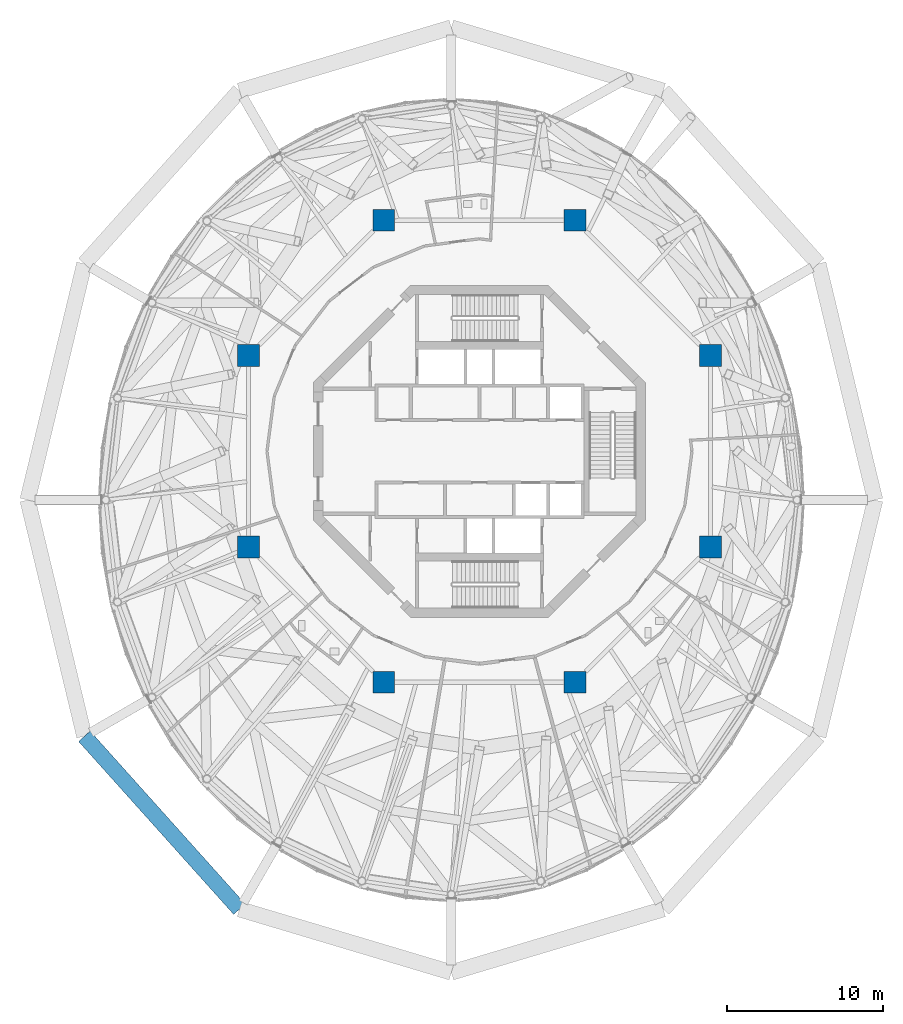
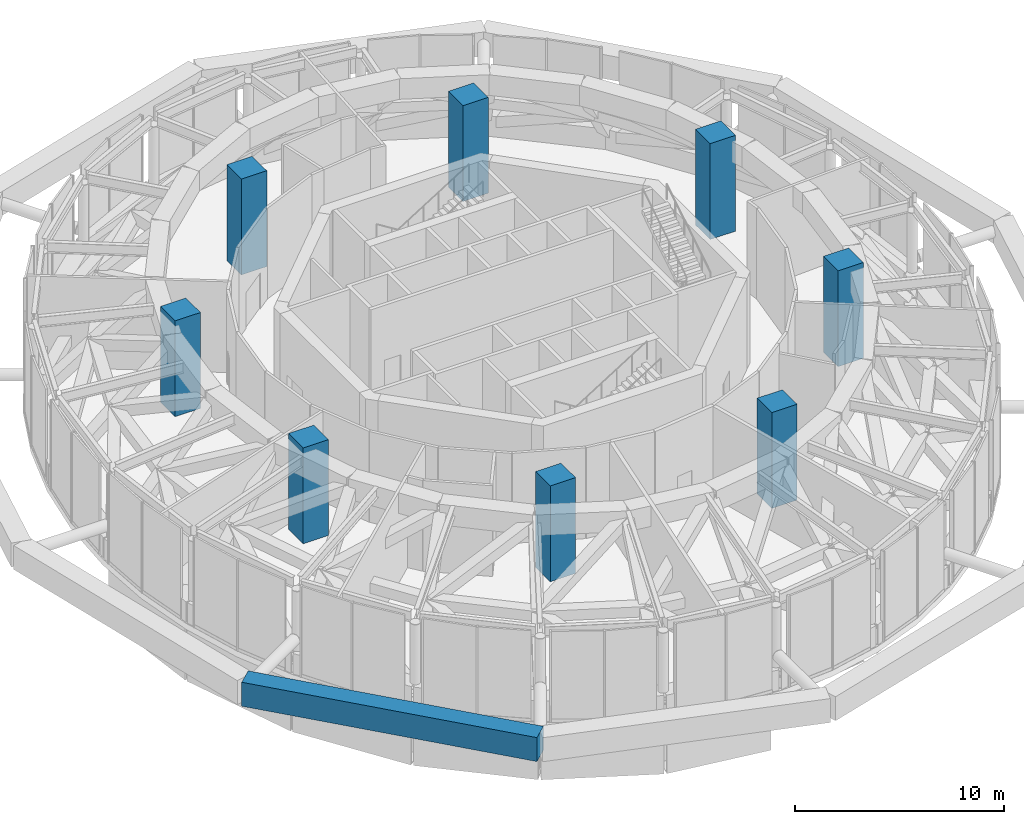
# One storey, part 1 of 22: 8 columns, 1 member.
"""IFC4 building model written with IfcOpenShell, lengths in metres."""

from ifc_helpers import new_model, si_unit, direction, frame, origin, origin_2d, place, context, subcontext, project, spatial, rectangle, extrude, material, material_profile, profile_set, type_object, element, save


model = new_model("IFC4")

# Units and contexts
model_context = context("Model", 3, precision=1e-05, world=origin(), true_north=direction((0.0, 1.0)))
body_context = subcontext(model_context, "Body", "Model", "MODEL_VIEW")
ifc_project = project(units=[si_unit("LENGTHUNIT", "METRE"), si_unit("AREAUNIT", "SQUARE_METRE"), si_unit("VOLUMEUNIT", "CUBIC_METRE"), si_unit("PLANEANGLEUNIT", "RADIAN"), si_unit("MASSUNIT", "GRAM", prefix="KILO")], contexts=[model_context])

# Site, building, storey
site_placement = place(None, origin())
site = spatial("IfcSite", under=ifc_project, at=site_placement, CompositionType="ELEMENT")
building_placement = place(site_placement, origin())
building = spatial("IfcBuilding", under=site, at=building_placement, Name="Nagisa Residences", CompositionType="ELEMENT")
storey_placement = place(building_placement, frame((0.0, 0.0, 310.300048828125)))
storey = spatial("IfcBuildingStorey", under=building, at=storey_placement, Name="L77", CompositionType="ELEMENT", Elevation=310.300048828125)

# Columns
ifc_material_1 = material(Name="Concrete C80", Category="concrete")
ifc_material_profile_1 = material_profile(ifc_material_1, rectangle(XDim=1.39990234375, YDim=1.39990234375, at=origin_2d()), Name="C80 1400x1400")
ifc_profile_set_1 = profile_set([ifc_material_profile_1], Name="Concrete C80")
column_type = type_object("IfcColumnType", Name="Inner megacolumn C80 1400x1400", PredefinedType="COLUMN", material=ifc_profile_set_1)
for number, where, z_axis, x_axis, name in (
    (1, (14.781982421875, 6.123046875, 0.0), (0.0, 0.0, 1.0), (1.0, 0.0, 0.0), "col:L77:i1"),
    (2, (6.123046875, 14.781982421875, 0.0), (0.0, 0.0, 1.0), (1.0, 0.0, 0.0), "col:L77:i2"),
    (3, (-6.123046875, 14.781982421875, 0.0), (0.0, 0.0, 1.0), (1.0, 0.0, 0.0), "col:L77:i3"),
    (4, (-14.781982421875, 6.123046875, 0.0), (0.0, 0.0, 1.0), (1.0, 0.0, 0.0), "col:L77:i4"),
    (5, (-14.781982421875, -6.123046875, 0.0), (0.0, 0.0, 1.0), (1.0, 0.0, 0.0), "col:L77:i5"),
    (6, (-6.123046875, -14.781982421875, 0.0), (0.0, 0.0, 1.0), (1.0, 0.0, 0.0), "col:L77:i6"),
    (7, (6.123046875, -14.781982421875, 0.0), (0.0, 0.0, 1.0), (1.0, 0.0, 0.0), "col:L77:i7"),
    (8, (14.781982421875, -6.123046875, 0.0), (0.0, 0.0, 1.0), (1.0, 0.0, 0.0), "col:L77:i8"),
):
    element("IfcColumn", number, at=place(storey_placement, frame(where, z_axis=z_axis, x_axis=x_axis)), inside=storey, type_object=column_type, Name=name, PredefinedType="COLUMN", context=body_context, shape_type="SweptSolid", body=[
        extrude(rectangle(XDim=1.39990234375, YDim=1.39990234375, at=origin_2d()), origin(), (0.0, 0.0, 1.0), 5.599853515625),
    ])

# Member
ifc_material_2 = material(Name="Concrete C80", Category="concrete")
ifc_material_profile_2 = material_profile(ifc_material_2, rectangle(XDim=1.0, YDim=1.39990234375, at=origin_2d()), Name="C80 1000x1400")
ifc_profile_set_2 = profile_set([ifc_material_profile_2], Name="Concrete C80")
member_type = type_object("IfcMemberType", Name="Cage ring 6 C80 1000x1400", PredefinedType="CHORD", material=ifc_profile_set_2)
member_placement = place(storey_placement, frame((-25.28662109375, -18.23779296875, 1.89990234375), z_axis=(0.66765456372, -0.744471210688, 0.0), x_axis=(0.744471210688, 0.66765456372, 0.0)))
element("IfcMember", 9, at=member_placement, inside=storey, type_object=member_type, Name="beam:L77:cg6r108", PredefinedType="CHORD", context=body_context, shape_type="SweptSolid", body=[
    extrude(rectangle(XDim=1.0, YDim=1.39990234375, at=origin_2d()), origin(), (0.0, 0.0, 1.0), 14.86767578125),
])

save(model, "model.ifc")
